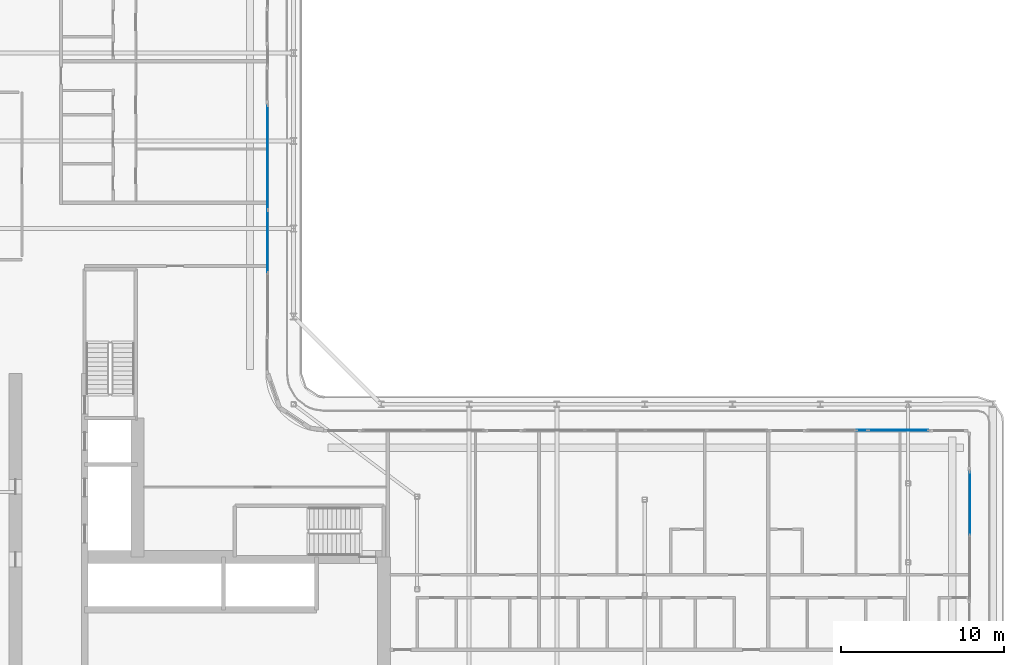
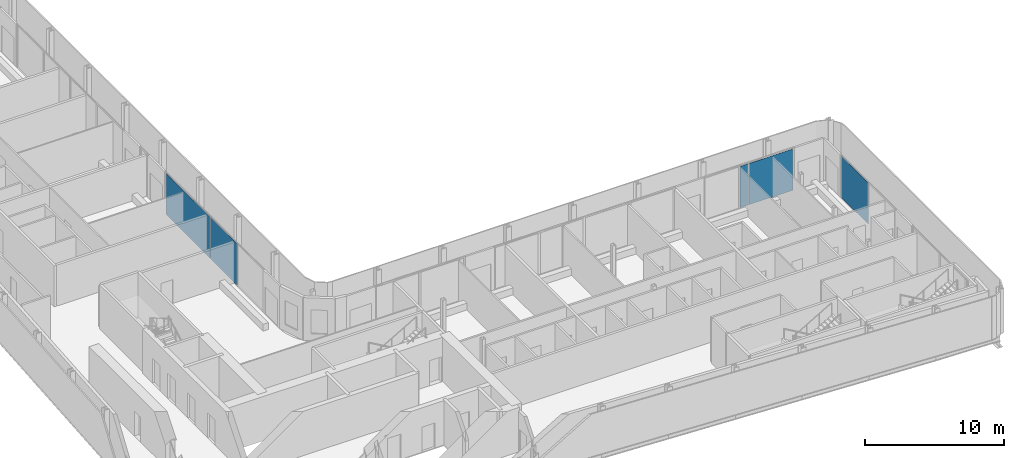
# One storey, part 10 of 26: 5 plates, 4 elements without a shape of their own.
"""IFC4 building model written with IfcOpenShell, lengths in metres."""

import ifcopenshell
import ifcopenshell.guid

model = None  # the IFC model being written
_history = None  # IfcOwnerHistory: only IFC2X3 demands one
_inside = {}  # id of a spatial element -> (the spatial element, [elements in it])
_under = {}  # id of a project, library or spatial element -> (it, [spatial elements below it])
_declared = {}  # id of a project -> (the project, [libraries it declares])
_typed = {}  # id of a type object -> (the type object, [elements of that type])
_made_of = {}  # id of a material, layer set ... -> (it, [elements and type objects made of it])


def new_model(schema):
    """Start an empty IFC model of exactly this schema.

    Asked for "IFC4X3", IfcOpenShell would pick the latest addendum, in which some entities
    have other attributes; the version numbers below select the first issue.
    IFC2X3 requires an IfcOwnerHistory on every rooted entity: one is made here for all.
    """
    global model, _history
    if schema == "IFC4X3":
        model = ifcopenshell.file(schema_version=(4, 3, 0, 0))
    else:
        model = ifcopenshell.file(schema=schema)
    _inside.clear()
    _under.clear()
    _declared.clear()
    _typed.clear()
    _made_of.clear()
    _history = None
    if model.schema == "IFC2X3":
        org = make("IfcOrganization", Name="unknown")
        user = make(
            "IfcPersonAndOrganization",
            ThePerson=make("IfcPerson", FamilyName="unknown"),
            TheOrganization=org,
        )
        app = make(
            "IfcApplication",
            ApplicationDeveloper=org,
            Version="unknown",
            ApplicationFullName="unknown",
            ApplicationIdentifier="unknown",
        )
        _history = make(
            "IfcOwnerHistory",
            OwningUser=user,
            OwningApplication=app,
            ChangeAction="ADDED",
            CreationDate=0,
        )
    return model


def make(cls, **values):
    """One entity of the class cls with the attributes given. An attribute that is None is left unset."""
    return model.create_entity(
        cls, **{name: value for name, value in values.items() if value is not None}
    )


def rooted(cls, **values):
    """An entity with a GlobalId (a new one), such as an element, a storey or a relation."""
    return make(cls, GlobalId=ifcopenshell.guid.new(), OwnerHistory=_history, **values)


def si_unit(unit_type, name, prefix=None):
    """IfcSIUnit, for example si_unit("LENGTHUNIT", "METRE", prefix="MILLI")."""
    return make("IfcSIUnit", UnitType=unit_type, Prefix=prefix, Name=name)


def assignment(units):
    """IfcUnitAssignment: the units of a project."""
    return None if units is None else make("IfcUnitAssignment", Units=units)


def point(xyz):
    """IfcCartesianPoint."""
    return None if xyz is None else make("IfcCartesianPoint", Coordinates=xyz)


def direction(xyz):
    """IfcDirection."""
    return None if xyz is None else make("IfcDirection", DirectionRatios=xyz)


def frame(location, z_axis=None, x_axis=None):
    """IfcAxis2Placement3D, a coordinate frame: its origin and axes. An axis left out is left unset."""
    return make(
        "IfcAxis2Placement3D",
        Location=point(location),
        Axis=direction(z_axis),
        RefDirection=direction(x_axis),
    )


def frame_2d(location, x_axis=None):
    """IfcAxis2Placement2D, a coordinate frame in the plane: its origin and x axis."""
    return make(
        "IfcAxis2Placement2D", Location=point(location), RefDirection=direction(x_axis)
    )


def origin():
    """The frame at (0, 0, 0) with its axes left unset."""
    return frame((0.0, 0.0, 0.0))


def origin_2d():
    """The frame at (0, 0) in the plane with its x axis left unset."""
    return frame_2d((0.0, 0.0))


def place(relative_to, where):
    """IfcLocalPlacement: puts the frame where relative to a parent placement (None: the world)."""
    return make(
        "IfcLocalPlacement", PlacementRelTo=relative_to, RelativePlacement=where
    )


def context(
    kind, dimensions, precision=None, world=None, true_north=None, identifier=None
):
    """IfcGeometricRepresentationContext, for example the 3D "Model" context."""
    return make(
        "IfcGeometricRepresentationContext",
        ContextIdentifier=identifier,
        ContextType=kind,
        CoordinateSpaceDimension=dimensions,
        Precision=precision,
        WorldCoordinateSystem=world,
        TrueNorth=true_north,
    )


def subcontext(parent, identifier, kind, view, scale=None):
    """IfcGeometricRepresentationSubContext, for example "Body" below "Model"."""
    return make(
        "IfcGeometricRepresentationSubContext",
        ContextIdentifier=identifier,
        ContextType=kind,
        ParentContext=parent,
        TargetScale=scale,
        TargetView=view,
    )


def project(units=None, contexts=None):
    """IfcProject with its units and contexts."""
    return rooted(
        "IfcProject",
        Name="project",
        RepresentationContexts=contexts,
        UnitsInContext=assignment(units),
    )


def spatial(cls, under=None, at=None, **own):
    """A site, building, storey or space (cls), placed at a placement, below another one or the project."""
    s = rooted(cls, ObjectPlacement=at, **own)
    if under is not None:
        _under.setdefault(under.id(), (under, []))[1].append(s)
    return s


def profile(cls, at=None, kind="AREA", **sizes):
    """A parametric profile (cls). Its sizes go by their IFC names, for example OverallWidth=200.0."""
    return make(cls, ProfileType=kind, Position=at, **sizes)


def rectangle(**sizes):
    """IfcRectangleProfileDef."""
    return profile("IfcRectangleProfileDef", **sizes)


def extrude(swept, where, along, depth):
    """IfcExtrudedAreaSolid: the profile swept, set in the frame where, extruded along a direction by depth."""
    return make(
        "IfcExtrudedAreaSolid",
        SweptArea=swept,
        Position=where,
        ExtrudedDirection=direction(along),
        Depth=depth,
    )


def shape(context_of_items, identifier, shape_type, items):
    """IfcShapeRepresentation: the items that make up one representation, for example the "Body"."""
    return make(
        "IfcShapeRepresentation",
        ContextOfItems=context_of_items,
        RepresentationIdentifier=identifier,
        RepresentationType=shape_type,
        Items=items,
    )


def material(Name=None, Category=None):
    """IfcMaterial."""
    return make("IfcMaterial", Name=Name, Category=Category)


def layer(
    of_material, thickness, ventilated=None, Name=None, Category=None, Priority=None
):
    """IfcMaterialLayer: one layer of a wall or slab, of a material (None: an air gap)."""
    return make(
        "IfcMaterialLayer",
        Material=of_material,
        LayerThickness=thickness,
        IsVentilated=ventilated,
        Name=Name,
        Category=Category,
        Priority=Priority,
    )


def layer_set(layers, Name=None):
    """IfcMaterialLayerSet."""
    return make("IfcMaterialLayerSet", MaterialLayers=layers, LayerSetName=Name)


def made_of(thing, what):
    """Note that an element or type object is made of a material, layer set ...; save() writes the relation."""
    if what is not None:
        _made_of.setdefault(what.id(), (what, []))[1].append(thing)
    return thing


def type_object(cls, material=None, **own):
    """A type object (cls), such as IfcWallType, which elements share."""
    return made_of(rooted(cls, **own), material)


def element(
    cls,
    number,
    at=None,
    inside=None,
    cuts=None,
    type_object=None,
    material=None,
    context=None,
    identifier="Body",
    shape_type=None,
    held_by="IfcProductDefinitionShape",
    body=None,
    shapes=None,
    **own,
):
    """One element of the class cls, such as IfcWall. Its Tag is "e" and its number.

    at: its placement. inside: the storey or other place that contains it. cuts: it is an
    opening in that element (IfcRelVoidsElement). A single representation is given by context,
    identifier, shape_type and body (its items); several are given by shapes. held_by: the class
    of the entity that holds the representations. save() writes the other relations.
    """
    e = rooted(cls, Tag="e%d" % number, ObjectPlacement=at, **own)
    if body is not None:
        shapes = [shape(context, identifier, shape_type, body)]
    if shapes is not None:
        e.Representation = make(held_by, Representations=shapes)
    if inside is not None:
        _inside.setdefault(inside.id(), (inside, []))[1].append(e)
    if cuts is not None:
        rooted(
            "IfcRelVoidsElement", RelatingBuildingElement=cuts, RelatedOpeningElement=e
        )
    if type_object is not None:
        _typed.setdefault(type_object.id(), (type_object, []))[1].append(e)
    return made_of(e, material)


def aggregate(whole, parts):
    """IfcRelAggregates: a whole, such as a stair, and the parts it consists of."""
    return rooted("IfcRelAggregates", RelatingObject=whole, RelatedObjects=parts)


def save(model, path):
    """Write the relations noted so far, then the file.

    IfcRelAggregates (storeys below a building ...), IfcRelContainedInSpatialStructure (elements
    in a storey), IfcRelDefinesByType, IfcRelAssociatesMaterial and IfcRelDeclares: one each for
    every whole, place, type object, material and project.
    """
    for whole, parts in _under.values():
        aggregate(whole, parts)
    for where, things in _inside.values():
        rooted(
            "IfcRelContainedInSpatialStructure",
            RelatedElements=things,
            RelatingStructure=where,
        )
    for kind, things in _typed.values():
        rooted("IfcRelDefinesByType", RelatedObjects=things, RelatingType=kind)
    for what, things in _made_of.values():
        rooted("IfcRelAssociatesMaterial", RelatedObjects=things, RelatingMaterial=what)
    for by, libraries in _declared.values():
        rooted("IfcRelDeclares", RelatingContext=by, RelatedDefinitions=libraries)
    model.write(path)


model = new_model("IFC4")

# Units and contexts
model_context = context("Model", 3, precision=1e-05, world=origin(), true_north=direction((0.0, 1.0)))
body_context = subcontext(model_context, "Body", "Model", "MODEL_VIEW")
ifc_project = project(units=[si_unit("LENGTHUNIT", "METRE"), si_unit("AREAUNIT", "SQUARE_METRE"), si_unit("VOLUMEUNIT", "CUBIC_METRE"), si_unit("PLANEANGLEUNIT", "RADIAN"), si_unit("MASSUNIT", "GRAM", prefix="KILO")], contexts=[model_context])

# Site, building, storey
site_placement = place(None, origin())
site = spatial("IfcSite", under=ifc_project, at=site_placement, CompositionType="ELEMENT")
building_placement = place(site_placement, origin())
building = spatial("IfcBuilding", under=site, at=building_placement, Name="Kheshtan School and Residences Tower", CompositionType="ELEMENT")
storey_placement = place(building_placement, frame((0.0, 0.0, 156.5)))
storey = spatial("IfcBuildingStorey", under=building, at=storey_placement, Name="L36", CompositionType="ELEMENT", Elevation=156.5)

# Curtain wall, plate
ifc_material = material(Name="Clear low-e glass in thermally broken aluminium frame", Category="aluminium")
ifc_layer_1 = layer(ifc_material, 0.199951171875)
ifc_layer_set_1 = layer_set([ifc_layer_1], Name="Curtain wall CW-L")
curtain_wall_type = type_object("IfcCurtainWallType", Name="Curtain wall CW-L", PredefinedType="NOTDEFINED", material=ifc_layer_set_1)
curtain_wall_1_placement = place(storey_placement, origin())
curtain_wall_1 = element("IfcCurtainWall", 1, at=curtain_wall_1_placement, inside=storey, type_object=curtain_wall_type, Name="Curtain wall CWL8h", PredefinedType="NOTDEFINED")
ifc_layer_2 = layer(ifc_material, 0.031982421875)
ifc_layer_set_2 = layer_set([ifc_layer_2], Name="CW-L glass panel")
plate_type = type_object("IfcPlateType", Name="CW-L glass panel", PredefinedType="CURTAIN_PANEL", material=ifc_layer_set_2)
plate_1_placement = place(storey_placement, frame((46.0, 60.77099609375, 0.0), z_axis=(0.0, 0.0, 1.0), x_axis=(0.0, -1.0, 0.0)))
plate_1 = element("IfcPlate", 2, at=plate_1_placement, type_object=plate_type, Name="CWL8h panel 1.1", PredefinedType="CURTAIN_PANEL", context=body_context, shape_type="SweptSolid", body=[
    extrude(rectangle(XDim=6.3740234375, YDim=0.031982421875, at=origin_2d()), origin(), (0.0, 0.0, 1.0), 3.6298828125),
])
aggregate(curtain_wall_1, [plate_1])

curtain_wall_2_placement = place(storey_placement, origin())
curtain_wall_2 = element("IfcCurtainWall", 3, at=curtain_wall_2_placement, inside=storey, type_object=curtain_wall_type, Name="Curtain wall CWL8", PredefinedType="NOTDEFINED")
plate_2_placement = place(storey_placement, frame((46.0, 55.615478515625, 0.0), z_axis=(0.0, 0.0, 1.0), x_axis=(0.0, -1.0, 0.0)))
plate_2 = element("IfcPlate", 4, at=plate_2_placement, type_object=plate_type, Name="CWL8 panel 1.1", PredefinedType="CURTAIN_PANEL", context=body_context, shape_type="SweptSolid", body=[
    extrude(rectangle(XDim=3.81689453125, YDim=0.031982421875, at=origin_2d()), origin(), (0.0, 0.0, 1.0), 3.6298828125),
])
aggregate(curtain_wall_2, [plate_2])

# Curtain wall, plates
curtain_wall_3_placement = place(storey_placement, origin())
curtain_wall_3 = element("IfcCurtainWall", 5, at=curtain_wall_3_placement, inside=storey, type_object=curtain_wall_type, Name="Curtain wall CWL12", PredefinedType="NOTDEFINED")
plate_3_placement = place(storey_placement, frame((82.570556640625, 44.0, 0.0), z_axis=(0.0, 0.0, 1.0), x_axis=(1.0, 0.0, 0.0)))
plate_3 = element("IfcPlate", 6, at=plate_3_placement, type_object=plate_type, Name="CWL12 panel 2.1", PredefinedType="CURTAIN_PANEL", context=body_context, shape_type="SweptSolid", body=[
    extrude(rectangle(XDim=0.68115234375, YDim=0.031982421875, at=origin_2d()), origin(), (0.0, 0.0, 1.0), 3.6298828125),
])
plate_4_placement = place(storey_placement, frame((84.8056640625, 44.0, 0.0), z_axis=(0.0, 0.0, 1.0), x_axis=(1.0, 0.0, 0.0)))
plate_4 = element("IfcPlate", 7, at=plate_4_placement, type_object=plate_type, Name="CWL12 panel 3.1", PredefinedType="CURTAIN_PANEL", context=body_context, shape_type="SweptSolid", body=[
    extrude(rectangle(XDim=3.668701171875, YDim=0.031982421875, at=origin_2d()), origin(), (0.0, 0.0, 1.0), 3.6298828125),
])
aggregate(curtain_wall_3, [plate_3, plate_4])

# Curtain wall, plate
curtain_wall_4_placement = place(storey_placement, origin())
curtain_wall_4 = element("IfcCurtainWall", 8, at=curtain_wall_4_placement, inside=storey, type_object=curtain_wall_type, Name="Curtain wall CWL13", PredefinedType="NOTDEFINED")
plate_5_placement = place(storey_placement, frame((89.199951171875, 39.5078125, 0.0), z_axis=(0.0, 0.0, 1.0), x_axis=(0.0, -1.0, 0.0)))
plate_5 = element("IfcPlate", 9, at=plate_5_placement, type_object=plate_type, Name="CWL13 panel 1.1", PredefinedType="CURTAIN_PANEL", context=body_context, shape_type="SweptSolid", body=[
    extrude(rectangle(XDim=3.8642578125, YDim=0.031982421875, at=origin_2d()), origin(), (0.0, 0.0, 1.0), 3.6298828125),
])
aggregate(curtain_wall_4, [plate_5])

save(model, "model.ifc")
